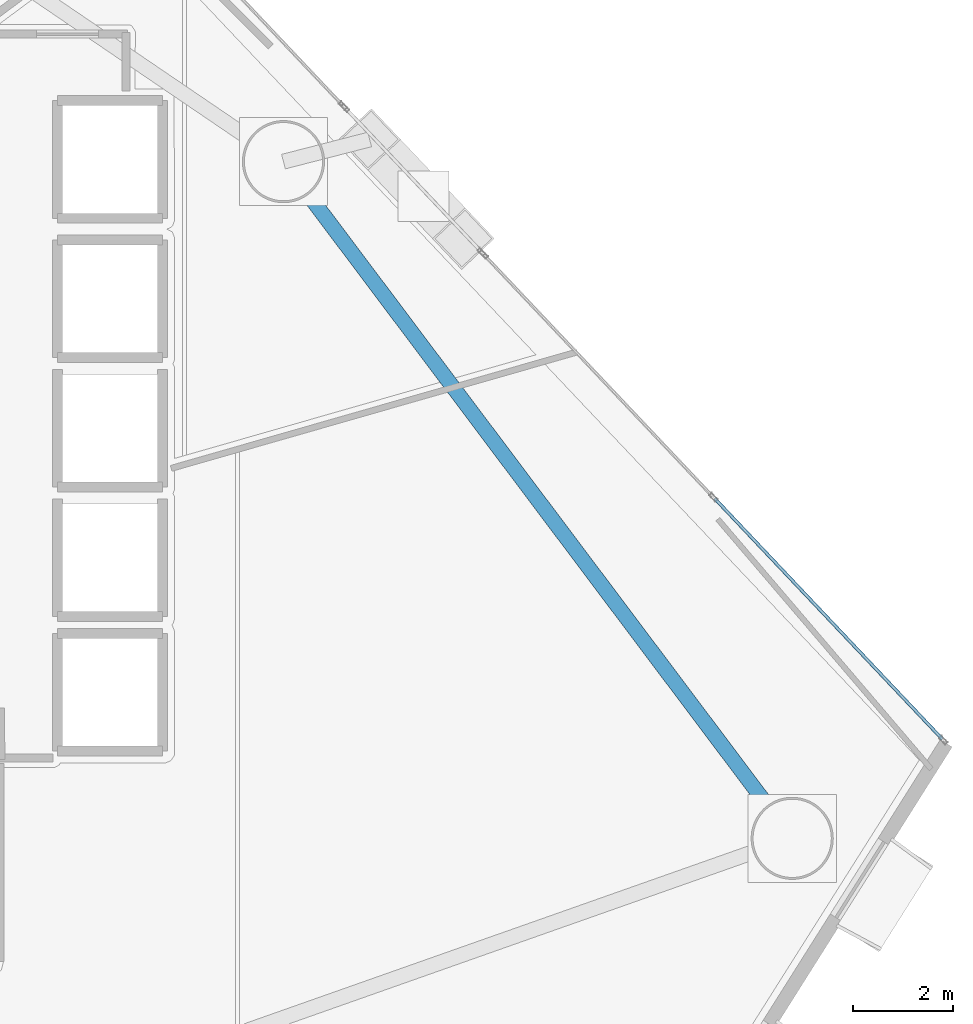
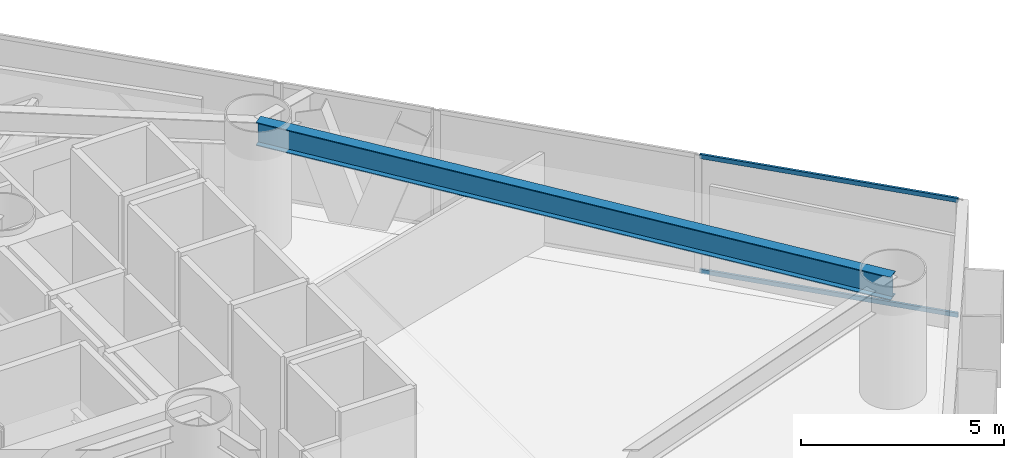
# One storey, part 13 of 23: 2 members, 1 beam, 1 element without a shape of its own.
"""IFC4 building model written with IfcOpenShell, lengths in metres."""

from ifc_helpers import new_model, si_unit, direction, frame, origin, origin_2d, place, context, subcontext, project, spatial, hollow_rectangle, i_section, extrude, material, layer, layer_set, material_profile, profile_set, type_object, element, aggregate, save


model = new_model("IFC4")

# Units and contexts
model_context = context("Model", 3, precision=1e-05, world=origin(), true_north=direction((0.0, 1.0)))
body_context = subcontext(model_context, "Body", "Model", "MODEL_VIEW")
ifc_project = project(units=[si_unit("LENGTHUNIT", "METRE"), si_unit("AREAUNIT", "SQUARE_METRE"), si_unit("VOLUMEUNIT", "CUBIC_METRE"), si_unit("PLANEANGLEUNIT", "RADIAN"), si_unit("MASSUNIT", "GRAM", prefix="KILO")], contexts=[model_context])

# Site, building, storey
site_placement = place(None, origin())
site = spatial("IfcSite", under=ifc_project, at=site_placement, CompositionType="ELEMENT")
building_placement = place(site_placement, origin())
building = spatial("IfcBuilding", under=site, at=building_placement, Name="Qianvela Tower", CompositionType="ELEMENT")
storey_placement = place(building_placement, frame((0.0, 0.0, 52.5)))
storey = spatial("IfcBuildingStorey", under=building, at=storey_placement, Name="L12", CompositionType="ELEMENT", Elevation=52.5)

# Beam
ifc_material_1 = material(Name="Steel Q355B", Category="steel")
ifc_material_profile_1 = material_profile(ifc_material_1, i_section(OverallWidth=0.300048828125, OverallDepth=0.699951171875, WebThickness=0.012939453125, FlangeThickness=0.02392578125, at=origin_2d()), Name="HN700x300x13x24")
ifc_profile_set_1 = profile_set([ifc_material_profile_1], Name="Steel Q355B")
beam_type = type_object("IfcBeamType", Name="BM-HN700-SPAND", PredefinedType="SPANDREL", material=ifc_profile_set_1)
beam_placement = place(storey_placement, frame((56.198974609375, 20.468017578125, 3.16796875), z_axis=(-0.600881979864, 0.799337754816, 0.0), x_axis=(-0.799337754816, -0.600881979864, 0.0)))
element("IfcBeam", 1, at=beam_placement, inside=storey, type_object=beam_type, Name="L12 Perimeter Ring Spandrel Girder 1", PredefinedType="SPANDREL", context=body_context, shape_type="SweptSolid", body=[
    extrude(i_section(OverallWidth=0.300048828125, OverallDepth=0.699951171875, WebThickness=0.012939453125, FlangeThickness=0.02392578125, at=origin_2d()), origin(), (0.0, 0.0, 1.0), 17.000244140625),
])

# Curtain wall, members
ifc_material_2 = material(Name="Anodised Architectural Aluminium and Low-E Glass", Category="aluminium")
ifc_layer = layer(ifc_material_2, 0.179931640625)
ifc_layer_set = layer_set([ifc_layer], Name="Anodised Architectural Aluminium and Low-E Glass")
curtain_wall_type = type_object("IfcCurtainWallType", Name="CW-COLIV-Z12", PredefinedType="USERDEFINED", material=ifc_layer_set)
curtain_wall_placement = place(storey_placement, origin())
curtain_wall = element("IfcCurtainWall", 2, at=curtain_wall_placement, inside=storey, type_object=curtain_wall_type, Name="L12 CW-COLIV-Z12 Curtain Wall 02A", ObjectType="CURTAIN_WALL_SYSTEM", PredefinedType="USERDEFINED")
ifc_material_3 = material(Name="Anodised Architectural Aluminium 6063-T6", Category="aluminium")
ifc_material_profile_2 = material_profile(ifc_material_3, hollow_rectangle(XDim=0.06494140625, YDim=0.1298828125, WallThickness=0.00439453125, at=origin_2d()), Name="ALU-TRAN-65x130")
ifc_profile_set_2 = profile_set([ifc_material_profile_2], Name="Anodised Architectural Aluminium 6063-T6")
member_type = type_object("IfcMemberType", Name="CW-COLIV-Z12-TRAN", PredefinedType="USERDEFINED", material=ifc_profile_set_2)
member_1_placement = place(storey_placement, frame((59.210693359375, 22.464111328125, 0.032470703125), z_axis=(-0.687158452367, 0.726507578309, 0.0), x_axis=(-0.726507578309, -0.687158452367, 0.0)))
member_1 = element("IfcMember", 3, at=member_1_placement, type_object=member_type, Name="CW-3 transom 1.1", ObjectType="TRANSOM", PredefinedType="USERDEFINED", context=body_context, shape_type="SweptSolid", body=[
    extrude(hollow_rectangle(XDim=0.06494140625, YDim=0.1298828125, WallThickness=0.00439453125, at=origin_2d()), origin(), (0.0, 0.0, 1.0), 6.64501953125),
])
member_2_placement = place(storey_placement, frame((59.210693359375, 22.464111328125, 3.487548828125), z_axis=(-0.687158452367, 0.726507578309, 0.0), x_axis=(-0.726507578309, -0.687158452367, 0.0)))
member_2 = element("IfcMember", 4, at=member_2_placement, type_object=member_type, Name="CW-3 transom 1.2", ObjectType="TRANSOM", PredefinedType="USERDEFINED", context=body_context, shape_type="SweptSolid", body=[
    extrude(hollow_rectangle(XDim=0.06494140625, YDim=0.1298828125, WallThickness=0.00439453125, at=origin_2d()), origin(), (0.0, 0.0, 1.0), 6.64501953125),
])
aggregate(curtain_wall, [member_1, member_2])

save(model, "model.ifc")
